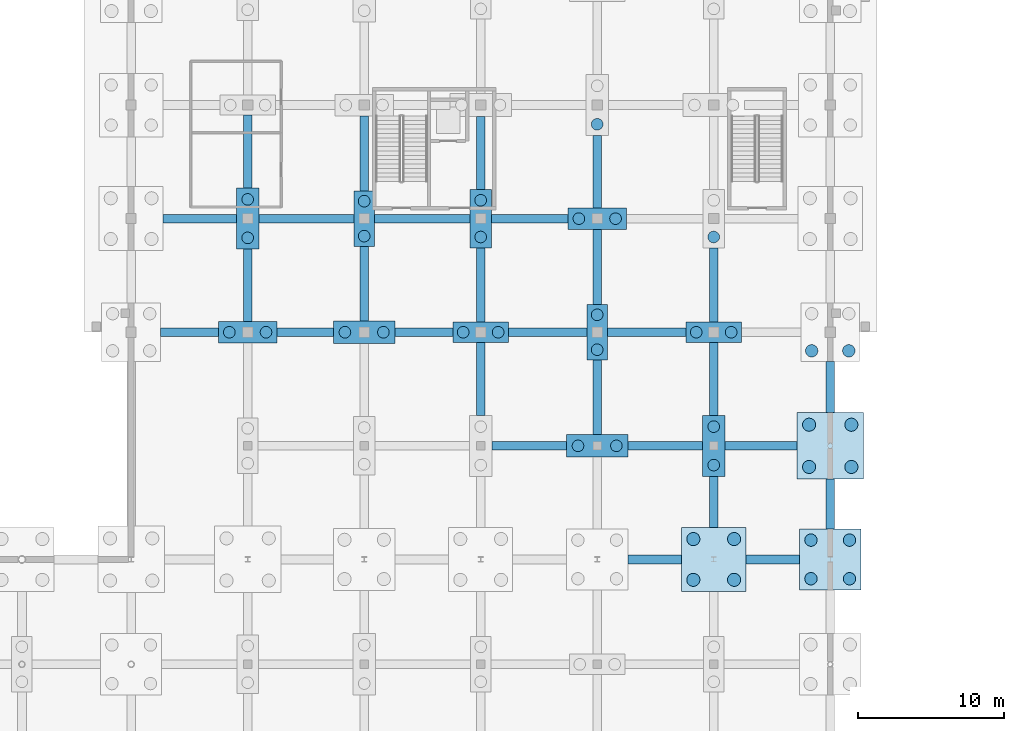
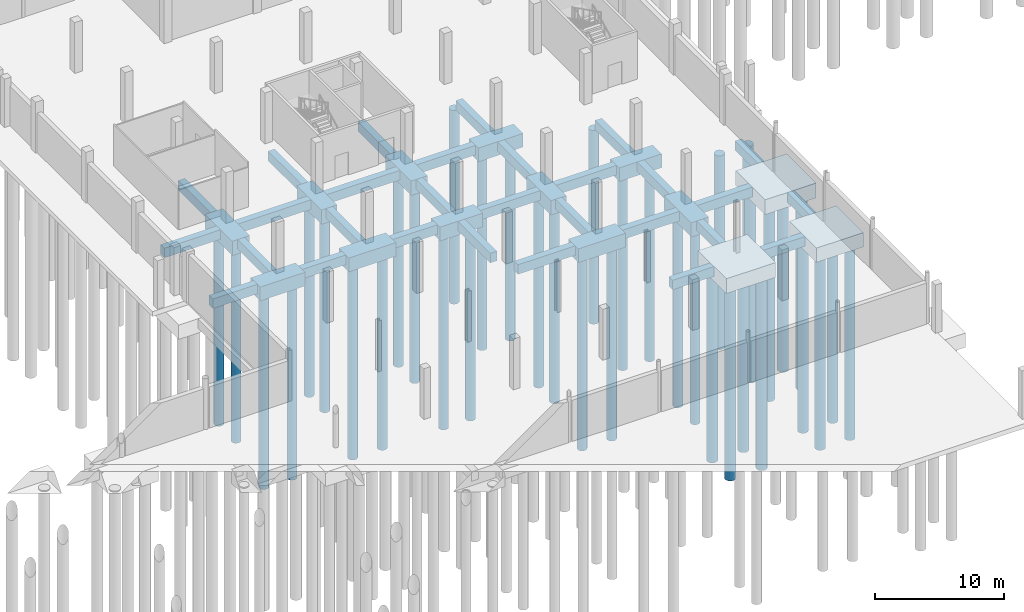
# One storey, part 5 of 44: 43 footings, 38 piles.
"""IFC4 building model written with IfcOpenShell, lengths in metres."""

from ifc_helpers import new_model, si_unit, direction, frame, origin, origin_2d, place, context, subcontext, project, spatial, polyline, rectangle, circle, outline, extrude, material, material_profile, profile_set, type_object, element, save


model = new_model("IFC4")

# Units and contexts
model_context = context("Model", 3, precision=1e-05, world=origin(), true_north=direction((0.0, 1.0)))
body_context = subcontext(model_context, "Body", "Model", "MODEL_VIEW")
ifc_project = project(units=[si_unit("LENGTHUNIT", "METRE"), si_unit("AREAUNIT", "SQUARE_METRE"), si_unit("VOLUMEUNIT", "CUBIC_METRE"), si_unit("PLANEANGLEUNIT", "RADIAN"), si_unit("MASSUNIT", "GRAM", prefix="KILO")], contexts=[model_context])

# Site, building, storey
site_placement = place(None, origin())
site = spatial("IfcSite", under=ifc_project, at=site_placement, CompositionType="ELEMENT")
building_placement = place(site_placement, origin())
building = spatial("IfcBuilding", under=site, at=building_placement, Name="Yukiwa Park Conservatory and Herbarium", CompositionType="ELEMENT")
storey_placement = place(building_placement, frame((0.0, 0.0, -4.800048828125)))
storey = spatial("IfcBuildingStorey", under=building, at=storey_placement, Name="B1", CompositionType="ELEMENT", Elevation=-4.800048828125)

# Footings
ifc_material_1 = material(Name="Concrete C35", Category="concrete")
footing_type_1 = type_object("IfcFootingType", Name="FT-BEAM-600X900", PredefinedType="FOOTING_BEAM", material=ifc_material_1)
footing_1_placement = place(storey_placement, frame((0.0, 0.0, -1.349853515625)))
element("IfcFooting", 1, at=footing_1_placement, inside=storey, type_object=footing_type_1, Name="Foundation tie beam X-57", PredefinedType="FOOTING_BEAM", context=body_context, shape_type="SweptSolid", body=[
    extrude(outline(polyline([(94.10009765625, 30.89990234375), (97.800048828125, 30.89990234375), (97.800048828125, 31.5), (94.10009765625, 31.5), (94.10009765625, 30.89990234375)])), origin(), (0.0, 0.0, 1.0), 0.89990234375),
])
footing_2_placement = place(storey_placement, frame((0.0, 0.0, -1.349853515625)))
element("IfcFooting", 2, at=footing_2_placement, inside=storey, type_object=footing_type_1, Name="Foundation tie beam X-58", PredefinedType="FOOTING_BEAM", context=body_context, shape_type="SweptSolid", body=[
    extrude(outline(polyline([(102.199951171875, 30.89990234375), (105.89990234375, 30.89990234375), (105.89990234375, 31.5), (102.199951171875, 31.5), (102.199951171875, 30.89990234375)])), origin(), (0.0, 0.0, 1.0), 0.89990234375),
])
footing_3_placement = place(storey_placement, frame((0.0, 0.0, -1.349853515625)))
element("IfcFooting", 3, at=footing_3_placement, inside=storey, type_object=footing_type_1, Name="Foundation tie beam X-61", PredefinedType="FOOTING_BEAM", context=body_context, shape_type="SweptSolid", body=[
    extrude(outline(polyline([(84.780029296875, 38.699951171875), (89.89990234375, 38.699951171875), (89.89990234375, 39.300048828125), (84.780029296875, 39.300048828125), (84.780029296875, 38.699951171875)])), origin(), (0.0, 0.0, 1.0), 0.89990234375),
])
footing_4_placement = place(storey_placement, frame((0.0, 0.0, -1.349853515625)))
element("IfcFooting", 4, at=footing_4_placement, inside=storey, type_object=footing_type_1, Name="Foundation tie beam X-62", PredefinedType="FOOTING_BEAM", context=body_context, shape_type="SweptSolid", body=[
    extrude(outline(polyline([(94.10009765625, 38.699951171875), (99.219970703125, 38.699951171875), (99.219970703125, 39.300048828125), (94.10009765625, 39.300048828125), (94.10009765625, 38.699951171875)])), origin(), (0.0, 0.0, 1.0), 0.89990234375),
])
footing_5_placement = place(storey_placement, frame((0.0, 0.0, -1.349853515625)))
element("IfcFooting", 5, at=footing_5_placement, inside=storey, type_object=footing_type_1, Name="Foundation tie beam X-63", PredefinedType="FOOTING_BEAM", context=body_context, shape_type="SweptSolid", body=[
    extrude(outline(polyline([(100.780029296875, 38.699951171875), (105.719970703125, 38.699951171875), (105.719970703125, 39.300048828125), (100.780029296875, 39.300048828125), (100.780029296875, 38.699951171875)])), origin(), (0.0, 0.0, 1.0), 0.89990234375),
])
footing_6_placement = place(storey_placement, frame((0.0, 0.0, -1.349853515625)))
element("IfcFooting", 6, at=footing_6_placement, inside=storey, type_object=footing_type_1, Name="Foundation tie beam X-64", PredefinedType="FOOTING_BEAM", context=body_context, shape_type="SweptSolid", body=[
    extrude(outline(polyline([(62.02001953125, 46.5), (66.0, 46.5), (66.0, 47.10009765625), (62.02001953125, 47.10009765625), (62.02001953125, 46.5)])), origin(), (0.0, 0.0, 1.0), 0.89990234375),
])
footing_7_placement = place(storey_placement, frame((0.0, 0.0, -1.349853515625)))
element("IfcFooting", 7, at=footing_7_placement, inside=storey, type_object=footing_type_1, Name="Foundation tie beam X-65", PredefinedType="FOOTING_BEAM", context=body_context, shape_type="SweptSolid", body=[
    extrude(outline(polyline([(70.0, 46.5), (73.89990234375, 46.5), (73.89990234375, 47.10009765625), (70.0, 47.10009765625), (70.0, 46.5)])), origin(), (0.0, 0.0, 1.0), 0.89990234375),
])
footing_8_placement = place(storey_placement, frame((0.0, 0.0, -1.349853515625)))
element("IfcFooting", 8, at=footing_8_placement, inside=storey, type_object=footing_type_1, Name="Foundation tie beam X-66", PredefinedType="FOOTING_BEAM", context=body_context, shape_type="SweptSolid", body=[
    extrude(outline(polyline([(78.10009765625, 46.5), (82.10009765625, 46.5), (82.10009765625, 47.10009765625), (78.10009765625, 47.10009765625), (78.10009765625, 46.5)])), origin(), (0.0, 0.0, 1.0), 0.89990234375),
])
footing_9_placement = place(storey_placement, frame((0.0, 0.0, -1.349853515625)))
element("IfcFooting", 9, at=footing_9_placement, inside=storey, type_object=footing_type_1, Name="Foundation tie beam X-67", PredefinedType="FOOTING_BEAM", context=body_context, shape_type="SweptSolid", body=[
    extrude(outline(polyline([(85.89990234375, 46.5), (91.300048828125, 46.5), (91.300048828125, 47.10009765625), (85.89990234375, 47.10009765625), (85.89990234375, 46.5)])), origin(), (0.0, 0.0, 1.0), 0.89990234375),
])
footing_10_placement = place(storey_placement, frame((0.0, 0.0, -1.349853515625)))
element("IfcFooting", 10, at=footing_10_placement, inside=storey, type_object=footing_type_1, Name="Foundation tie beam X-68", PredefinedType="FOOTING_BEAM", context=body_context, shape_type="SweptSolid", body=[
    extrude(outline(polyline([(92.699951171875, 46.5), (98.10009765625, 46.5), (98.10009765625, 47.10009765625), (92.699951171875, 47.10009765625), (92.699951171875, 46.5)])), origin(), (0.0, 0.0, 1.0), 0.89990234375),
])
footing_11_placement = place(storey_placement, frame((0.0, 0.0, -1.349853515625)))
element("IfcFooting", 11, at=footing_11_placement, inside=storey, type_object=footing_type_1, Name="Foundation tie beam X-70", PredefinedType="FOOTING_BEAM", context=body_context, shape_type="SweptSolid", body=[
    extrude(outline(polyline([(62.199951171875, 54.300048828125), (67.219970703125, 54.300048828125), (67.219970703125, 54.89990234375), (62.199951171875, 54.89990234375), (62.199951171875, 54.300048828125)])), origin(), (0.0, 0.0, 1.0), 0.89990234375),
])
footing_12_placement = place(storey_placement, frame((0.0, 0.0, -1.349853515625)))
element("IfcFooting", 12, at=footing_12_placement, inside=storey, type_object=footing_type_1, Name="Foundation tie beam X-71", PredefinedType="FOOTING_BEAM", context=body_context, shape_type="SweptSolid", body=[
    extrude(outline(polyline([(68.780029296875, 54.300048828125), (75.300048828125, 54.300048828125), (75.300048828125, 54.89990234375), (68.780029296875, 54.89990234375), (68.780029296875, 54.300048828125)])), origin(), (0.0, 0.0, 1.0), 0.89990234375),
])
footing_13_placement = place(storey_placement, frame((0.0, 0.0, -1.349853515625)))
element("IfcFooting", 13, at=footing_13_placement, inside=storey, type_object=footing_type_1, Name="Foundation tie beam X-72", PredefinedType="FOOTING_BEAM", context=body_context, shape_type="SweptSolid", body=[
    extrude(outline(polyline([(76.699951171875, 54.300048828125), (83.260009765625, 54.300048828125), (83.260009765625, 54.89990234375), (76.699951171875, 54.89990234375), (76.699951171875, 54.300048828125)])), origin(), (0.0, 0.0, 1.0), 0.89990234375),
])
footing_14_placement = place(storey_placement, frame((0.0, 0.0, -1.349853515625)))
element("IfcFooting", 14, at=footing_14_placement, inside=storey, type_object=footing_type_1, Name="Foundation tie beam X-73", PredefinedType="FOOTING_BEAM", context=body_context, shape_type="SweptSolid", body=[
    extrude(outline(polyline([(84.739990234375, 54.300048828125), (90.0, 54.300048828125), (90.0, 54.89990234375), (84.739990234375, 54.89990234375), (84.739990234375, 54.300048828125)])), origin(), (0.0, 0.0, 1.0), 0.89990234375),
])
footing_15_placement = place(storey_placement, frame((0.0, 0.0, -1.349853515625)))
element("IfcFooting", 15, at=footing_15_placement, inside=storey, type_object=footing_type_1, Name="Foundation tie beam Y-233", PredefinedType="FOOTING_BEAM", context=body_context, shape_type="SweptSolid", body=[
    extrude(outline(polyline([(67.699951171875, 47.5400390625), (68.300048828125, 47.5400390625), (68.300048828125, 52.5), (67.699951171875, 52.5), (67.699951171875, 47.5400390625)])), origin(), (0.0, 0.0, 1.0), 0.89990234375),
])
footing_16_placement = place(storey_placement, frame((0.0, 0.0, -1.349853515625)))
element("IfcFooting", 16, at=footing_16_placement, inside=storey, type_object=footing_type_1, Name="Foundation tie beam Y-234", PredefinedType="FOOTING_BEAM", context=body_context, shape_type="SweptSolid", body=[
    extrude(outline(polyline([(67.699951171875, 56.699951171875), (68.300048828125, 56.699951171875), (68.300048828125, 61.699951171875), (67.699951171875, 61.699951171875), (67.699951171875, 56.699951171875)])), origin(), (0.0, 0.0, 1.0), 0.89990234375),
])
footing_17_placement = place(storey_placement, frame((0.0, 0.0, -1.349853515625)))
element("IfcFooting", 17, at=footing_17_placement, inside=storey, type_object=footing_type_1, Name="Foundation tie beam Y-242", PredefinedType="FOOTING_BEAM", context=body_context, shape_type="SweptSolid", body=[
    extrude(outline(polyline([(75.699951171875, 47.580078125), (76.300048828125, 47.580078125), (76.300048828125, 52.699951171875), (75.699951171875, 52.699951171875), (75.699951171875, 47.580078125)])), origin(), (0.0, 0.0, 1.0), 0.89990234375),
])
footing_18_placement = place(storey_placement, frame((0.0, 0.0, -1.349853515625)))
element("IfcFooting", 18, at=footing_18_placement, inside=storey, type_object=footing_type_1, Name="Foundation tie beam Y-243", PredefinedType="FOOTING_BEAM", context=body_context, shape_type="SweptSolid", body=[
    extrude(outline(polyline([(75.699951171875, 56.5), (76.300048828125, 56.5), (76.300048828125, 61.659912109375), (75.699951171875, 61.659912109375), (75.699951171875, 56.5)])), origin(), (0.0, 0.0, 1.0), 0.89990234375),
])
footing_19_placement = place(storey_placement, frame((0.0, 0.0, -1.349853515625)))
element("IfcFooting", 19, at=footing_19_placement, inside=storey, type_object=footing_type_1, Name="Foundation tie beam Y-250", PredefinedType="FOOTING_BEAM", context=body_context, shape_type="SweptSolid", body=[
    extrude(outline(polyline([(83.699951171875, 41.10009765625), (84.300048828125, 41.10009765625), (84.300048828125, 46.10009765625), (83.699951171875, 46.10009765625), (83.699951171875, 41.10009765625)])), origin(), (0.0, 0.0, 1.0), 0.89990234375),
])
footing_20_placement = place(storey_placement, frame((0.0, 0.0, -1.349853515625)))
element("IfcFooting", 20, at=footing_20_placement, inside=storey, type_object=footing_type_1, Name="Foundation tie beam Y-251", PredefinedType="FOOTING_BEAM", context=body_context, shape_type="SweptSolid", body=[
    extrude(outline(polyline([(83.699951171875, 47.5), (84.300048828125, 47.5), (84.300048828125, 52.60009765625), (83.699951171875, 52.60009765625), (83.699951171875, 47.5)])), origin(), (0.0, 0.0, 1.0), 0.89990234375),
])
footing_21_placement = place(storey_placement, frame((0.0, 0.0, -1.349853515625)))
element("IfcFooting", 21, at=footing_21_placement, inside=storey, type_object=footing_type_1, Name="Foundation tie beam Y-252", PredefinedType="FOOTING_BEAM", context=body_context, shape_type="SweptSolid", body=[
    extrude(outline(polyline([(83.699951171875, 56.60009765625), (84.300048828125, 56.60009765625), (84.300048828125, 61.6201171875), (83.699951171875, 61.6201171875), (83.699951171875, 56.60009765625)])), origin(), (0.0, 0.0, 1.0), 0.89990234375),
])
footing_22_placement = place(storey_placement, frame((0.0, 0.0, -1.349853515625)))
element("IfcFooting", 22, at=footing_22_placement, inside=storey, type_object=footing_type_1, Name="Foundation tie beam Y-258", PredefinedType="FOOTING_BEAM", context=body_context, shape_type="SweptSolid", body=[
    extrude(outline(polyline([(91.699951171875, 39.780029296875), (92.300048828125, 39.780029296875), (92.300048828125, 44.89990234375), (91.699951171875, 44.89990234375), (91.699951171875, 39.780029296875)])), origin(), (0.0, 0.0, 1.0), 0.89990234375),
])
footing_23_placement = place(storey_placement, frame((0.0, 0.0, -1.349853515625)))
element("IfcFooting", 23, at=footing_23_placement, inside=storey, type_object=footing_type_1, Name="Foundation tie beam Y-259", PredefinedType="FOOTING_BEAM", context=body_context, shape_type="SweptSolid", body=[
    extrude(outline(polyline([(91.699951171875, 48.699951171875), (92.300048828125, 48.699951171875), (92.300048828125, 53.860107421875), (91.699951171875, 53.860107421875), (91.699951171875, 48.699951171875)])), origin(), (0.0, 0.0, 1.0), 0.89990234375),
])
footing_24_placement = place(storey_placement, frame((0.0, 0.0, -1.349853515625)))
element("IfcFooting", 24, at=footing_24_placement, inside=storey, type_object=footing_type_1, Name="Foundation tie beam Y-260", PredefinedType="FOOTING_BEAM", context=body_context, shape_type="SweptSolid", body=[
    extrude(outline(polyline([(91.699951171875, 55.340087890625), (92.300048828125, 55.340087890625), (92.300048828125, 60.300048828125), (91.699951171875, 60.300048828125), (91.699951171875, 55.340087890625)])), origin(), (0.0, 0.0, 1.0), 0.89990234375),
])
footing_25_placement = place(storey_placement, frame((0.0, 0.0, -1.349853515625)))
element("IfcFooting", 25, at=footing_25_placement, inside=storey, type_object=footing_type_1, Name="Foundation tie beam Y-265", PredefinedType="FOOTING_BEAM", context=body_context, shape_type="SweptSolid", body=[
    extrude(outline(polyline([(99.699951171875, 33.39990234375), (100.300048828125, 33.39990234375), (100.300048828125, 36.89990234375), (99.699951171875, 36.89990234375), (99.699951171875, 33.39990234375)])), origin(), (0.0, 0.0, 1.0), 0.89990234375),
])
footing_26_placement = place(storey_placement, frame((0.0, 0.0, -1.349853515625)))
element("IfcFooting", 26, at=footing_26_placement, inside=storey, type_object=footing_type_1, Name="Foundation tie beam Y-266", PredefinedType="FOOTING_BEAM", context=body_context, shape_type="SweptSolid", body=[
    extrude(outline(polyline([(99.699951171875, 41.10009765625), (100.300048828125, 41.10009765625), (100.300048828125, 46.10009765625), (99.699951171875, 46.10009765625), (99.699951171875, 41.10009765625)])), origin(), (0.0, 0.0, 1.0), 0.89990234375),
])
footing_27_placement = place(storey_placement, frame((0.0, 0.0, -1.349853515625)))
element("IfcFooting", 27, at=footing_27_placement, inside=storey, type_object=footing_type_1, Name="Foundation tie beam Y-267", PredefinedType="FOOTING_BEAM", context=body_context, shape_type="SweptSolid", body=[
    extrude(outline(polyline([(99.699951171875, 47.5), (100.300048828125, 47.5), (100.300048828125, 52.60009765625), (99.699951171875, 52.60009765625), (99.699951171875, 47.5)])), origin(), (0.0, 0.0, 1.0), 0.89990234375),
])
footing_28_placement = place(storey_placement, frame((0.0, 0.0, -1.349853515625)))
element("IfcFooting", 28, at=footing_28_placement, inside=storey, type_object=footing_type_1, Name="Foundation tie beam Y-273", PredefinedType="FOOTING_BEAM", context=body_context, shape_type="SweptSolid", body=[
    extrude(outline(polyline([(107.699951171875, 33.300048828125), (108.300048828125, 33.300048828125), (108.300048828125, 36.719970703125), (107.699951171875, 36.719970703125), (107.699951171875, 33.300048828125)])), origin(), (0.0, 0.0, 1.0), 0.89990234375),
])
footing_29_placement = place(storey_placement, frame((0.0, 0.0, -1.349853515625)))
element("IfcFooting", 29, at=footing_29_placement, inside=storey, type_object=footing_type_1, Name="Foundation tie beam Y-274", PredefinedType="FOOTING_BEAM", context=body_context, shape_type="SweptSolid", body=[
    extrude(outline(polyline([(107.699951171875, 41.280029296875), (108.300048828125, 41.280029296875), (108.300048828125, 44.780029296875), (107.699951171875, 44.780029296875), (107.699951171875, 41.280029296875)])), origin(), (0.0, 0.0, 1.0), 0.89990234375),
])
ifc_material_2 = material(Name="Concrete C35", Category="concrete")
footing_type_2 = type_object("IfcFootingType", Name="FT-PC-1400X3800X1350", PredefinedType="PILE_CAP", material=ifc_material_2)
for number, where, z_axis, x_axis, name in (
    (30, (76.0, 54.60009765625, -1.800048828125), (0.0, 0.0, 1.0), (1.0, 0.0, 0.0), "Reinforced concrete pile cap 100"),
    (31, (92.0, 46.800048828125, -1.800048828125), (0.0, 0.0, 1.0), (1.0, 0.0, 0.0), "Reinforced concrete pile cap 118"),
):
    element("IfcFooting", number, at=place(storey_placement, frame(where, z_axis=z_axis, x_axis=x_axis)), inside=storey, type_object=footing_type_2, Name=name, PredefinedType="PILE_CAP", context=body_context, shape_type="SweptSolid", body=[
        extrude(rectangle(XDim=1.39990234375, YDim=3.800048828125, at=origin_2d()), origin(), (0.0, 0.0, 1.0), 1.35009765625),
    ])
ifc_material_3 = material(Name="Concrete C35", Category="concrete")
footing_type_3 = type_object("IfcFootingType", Name="FT-PC-1480X4000X1350", PredefinedType="PILE_CAP", material=ifc_material_3)
footing_30_placement = place(storey_placement, frame((84.0, 54.60009765625, -1.800048828125), z_axis=(0.0, 0.0, 1.0), x_axis=(1.0, 0.0, 0.0)))
element("IfcFooting", 32, at=footing_30_placement, inside=storey, type_object=footing_type_3, Name="Reinforced concrete pile cap 110", PredefinedType="PILE_CAP", context=body_context, shape_type="SweptSolid", body=[
    extrude(rectangle(XDim=1.47998046875, YDim=4.0, at=origin_2d()), origin(), (0.0, 0.0, 1.0), 1.35009765625),
])
ifc_material_4 = material(Name="Concrete C35", Category="concrete")
footing_type_4 = type_object("IfcFootingType", Name="FT-PC-1560X4200X1350", PredefinedType="PILE_CAP", material=ifc_material_4)
for number, where, z_axis, x_axis, name in (
    (33, (68.0, 54.60009765625, -1.800048828125), (0.0, 0.0, 1.0), (1.0, 0.0, 0.0), "Reinforced concrete pile cap 90"),
    (34, (100.0, 39.0, -1.800048828125), (0.0, 0.0, 1.0), (1.0, 0.0, 0.0), "Reinforced concrete pile cap 126"),
):
    element("IfcFooting", number, at=place(storey_placement, frame(where, z_axis=z_axis, x_axis=x_axis)), inside=storey, type_object=footing_type_4, Name=name, PredefinedType="PILE_CAP", context=body_context, shape_type="SweptSolid", body=[
        extrude(rectangle(XDim=1.56005859375, YDim=4.199951171875, at=origin_2d()), origin(), (0.0, 0.0, 1.0), 1.35009765625),
    ])
ifc_material_5 = material(Name="Concrete C35", Category="concrete")
footing_type_5 = type_object("IfcFootingType", Name="FT-PC-3800X1400X1300", PredefinedType="PILE_CAP", material=ifc_material_5)
for number, where, z_axis, x_axis, name in (
    (35, (84.0, 46.800048828125, -1.75), (0.0, 0.0, 1.0), (1.0, 0.0, 0.0), "Reinforced concrete pile cap 109"),
    (36, (100.0, 46.800048828125, -1.75), (0.0, 0.0, 1.0), (1.0, 0.0, 0.0), "Reinforced concrete pile cap 127"),
):
    element("IfcFooting", number, at=place(storey_placement, frame(where, z_axis=z_axis, x_axis=x_axis)), inside=storey, type_object=footing_type_5, Name=name, PredefinedType="PILE_CAP", context=body_context, shape_type="SweptSolid", body=[
        extrude(rectangle(XDim=3.800048828125, YDim=1.39990234375, at=origin_2d()), origin(), (0.0, 0.0, 1.0), 1.300048828125),
    ])
ifc_material_6 = material(Name="Concrete C35", Category="concrete")
footing_type_6 = type_object("IfcFootingType", Name="FT-PC-4000X1480X1300", PredefinedType="PILE_CAP", material=ifc_material_6)
for number, where, z_axis, x_axis, name in (
    (37, (68.0, 46.800048828125, -1.75), (0.0, 0.0, 1.0), (1.0, 0.0, 0.0), "Reinforced concrete pile cap 89"),
    (38, (92.0, 54.60009765625, -1.75), (0.0, 0.0, 1.0), (1.0, 0.0, 0.0), "Reinforced concrete pile cap 119"),
):
    element("IfcFooting", number, at=place(storey_placement, frame(where, z_axis=z_axis, x_axis=x_axis)), inside=storey, type_object=footing_type_6, Name=name, PredefinedType="PILE_CAP", context=body_context, shape_type="SweptSolid", body=[
        extrude(rectangle(XDim=4.0, YDim=1.47998046875, at=origin_2d()), origin(), (0.0, 0.0, 1.0), 1.300048828125),
    ])
ifc_material_7 = material(Name="Concrete C35", Category="concrete")
footing_type_7 = type_object("IfcFootingType", Name="FT-PC-4200X1560X1300", PredefinedType="PILE_CAP", material=ifc_material_7)
for number, where, z_axis, x_axis, name in (
    (39, (76.0, 46.800048828125, -1.75), (0.0, 0.0, 1.0), (1.0, 0.0, 0.0), "Reinforced concrete pile cap 99"),
    (40, (92.0, 39.0, -1.75), (0.0, 0.0, 1.0), (1.0, 0.0, 0.0), "Reinforced concrete pile cap 117"),
):
    element("IfcFooting", number, at=place(storey_placement, frame(where, z_axis=z_axis, x_axis=x_axis)), inside=storey, type_object=footing_type_7, Name=name, PredefinedType="PILE_CAP", context=body_context, shape_type="SweptSolid", body=[
        extrude(rectangle(XDim=4.199951171875, YDim=1.56005859375, at=origin_2d()), origin(), (0.0, 0.0, 1.0), 1.300048828125),
    ])
ifc_material_8 = material(Name="Concrete C35", Category="concrete")
footing_type_8 = type_object("IfcFootingType", Name="FT-PC-4200X4200X1350", PredefinedType="PILE_CAP", material=ifc_material_8)
footing_31_placement = place(storey_placement, frame((108.0, 31.199951171875, -1.800048828125), z_axis=(0.0, 0.0, 1.0), x_axis=(1.0, 0.0, 0.0)))
element("IfcFooting", 41, at=footing_31_placement, inside=storey, type_object=footing_type_8, Name="Reinforced concrete pile cap 134", PredefinedType="PILE_CAP", context=body_context, shape_type="SweptSolid", body=[
    extrude(rectangle(XDim=4.199951171875, YDim=4.199951171875, at=origin_2d()), origin(), (0.0, 0.0, 1.0), 1.35009765625),
])
ifc_material_9 = material(Name="Concrete C35", Category="concrete")
footing_type_9 = type_object("IfcFootingType", Name="FT-PC-4400X4400X1400", PredefinedType="PILE_CAP", material=ifc_material_9)
footing_32_placement = place(storey_placement, frame((100.0, 31.199951171875, -1.849853515625), z_axis=(0.0, 0.0, 1.0), x_axis=(1.0, 0.0, 0.0)))
element("IfcFooting", 42, at=footing_32_placement, inside=storey, type_object=footing_type_9, Name="Reinforced concrete pile cap 125", PredefinedType="PILE_CAP", context=body_context, shape_type="SweptSolid", body=[
    extrude(rectangle(XDim=4.39990234375, YDim=4.39990234375, at=origin_2d()), origin(), (0.0, 0.0, 1.0), 1.39990234375),
])
ifc_material_10 = material(Name="Concrete C35", Category="concrete")
footing_type_10 = type_object("IfcFootingType", Name="FT-PC-4560X4560X1400", PredefinedType="PILE_CAP", material=ifc_material_10)
footing_33_placement = place(storey_placement, frame((108.0, 39.0, -1.849853515625), z_axis=(0.0, 0.0, 1.0), x_axis=(1.0, 0.0, 0.0)))
element("IfcFooting", 43, at=footing_33_placement, inside=storey, type_object=footing_type_10, Name="Reinforced concrete pile cap 135", PredefinedType="PILE_CAP", context=body_context, shape_type="SweptSolid", body=[
    extrude(rectangle(XDim=4.56005859375, YDim=4.56005859375, at=origin_2d()), origin(), (0.0, 0.0, 1.0), 1.39990234375),
])

# Piles
ifc_material_11 = material(Name="Concrete C35", Category="concrete")
ifc_material_profile_1 = material_profile(ifc_material_11, circle(Radius=0.39990234375, at=origin_2d()), Name="PILE D800")
ifc_profile_set_1 = profile_set([ifc_material_profile_1], Name="Concrete C35")
pile_type_1 = type_object("IfcPileType", Name="PL-BORED-D800", PredefinedType="BORED", material=ifc_profile_set_1)
for number, where, z_axis, x_axis, name in (
    (44, (66.739990234375, 46.800048828125, -1.64990234375), (0.0, 0.0, -1.0), (1.0, 0.0, 0.0), "Bored cast-in-place pile 89.1"),
    (45, (69.260009765625, 46.800048828125, -1.64990234375), (0.0, 0.0, -1.0), (1.0, 0.0, 0.0), "Bored cast-in-place pile 89.2"),
):
    element("IfcPile", number, at=place(storey_placement, frame(where, z_axis=z_axis, x_axis=x_axis)), inside=storey, type_object=pile_type_1, Name=name, PredefinedType="BORED", context=body_context, shape_type="SweptSolid", body=[
        extrude(circle(Radius=0.39990234375, at=origin_2d()), origin(), (0.0, 0.0, 1.0), 18.35009765625),
    ])
for number, where, z_axis, x_axis, name in (
    (46, (68.0, 53.280029296875, -1.699951171875), (0.0, 0.0, -1.0), (1.0, 0.0, 0.0), "Bored cast-in-place pile 90.1"),
    (47, (68.0, 55.919921875, -1.699951171875), (0.0, 0.0, -1.0), (1.0, 0.0, 0.0), "Bored cast-in-place pile 90.2"),
):
    element("IfcPile", number, at=place(storey_placement, frame(where, z_axis=z_axis, x_axis=x_axis)), inside=storey, type_object=pile_type_1, Name=name, PredefinedType="BORED", context=body_context, shape_type="SweptSolid", body=[
        extrude(circle(Radius=0.39990234375, at=origin_2d()), origin(), (0.0, 0.0, 1.0), 18.300048828125),
    ])
for number, where, z_axis, x_axis, name in (
    (48, (74.679931640625, 46.800048828125, -1.64990234375), (0.0, 0.0, -1.0), (1.0, 0.0, 0.0), "Bored cast-in-place pile 99.1"),
    (49, (77.320068359375, 46.800048828125, -1.64990234375), (0.0, 0.0, -1.0), (1.0, 0.0, 0.0), "Bored cast-in-place pile 99.2"),
):
    element("IfcPile", number, at=place(storey_placement, frame(where, z_axis=z_axis, x_axis=x_axis)), inside=storey, type_object=pile_type_1, Name=name, PredefinedType="BORED", context=body_context, shape_type="SweptSolid", body=[
        extrude(circle(Radius=0.39990234375, at=origin_2d()), origin(), (0.0, 0.0, 1.0), 18.35009765625),
    ])
for number, where, z_axis, x_axis, name in (
    (50, (76.0, 53.39990234375, -1.699951171875), (0.0, 0.0, -1.0), (1.0, 0.0, 0.0), "Bored cast-in-place pile 100.1"),
    (51, (76.0, 55.800048828125, -1.699951171875), (0.0, 0.0, -1.0), (1.0, 0.0, 0.0), "Bored cast-in-place pile 100.2"),
):
    element("IfcPile", number, at=place(storey_placement, frame(where, z_axis=z_axis, x_axis=x_axis)), inside=storey, type_object=pile_type_1, Name=name, PredefinedType="BORED", context=body_context, shape_type="SweptSolid", body=[
        extrude(circle(Radius=0.39990234375, at=origin_2d()), origin(), (0.0, 0.0, 1.0), 18.300048828125),
    ])
for number, where, z_axis, x_axis, name in (
    (52, (82.800048828125, 46.800048828125, -1.64990234375), (0.0, 0.0, -1.0), (1.0, 0.0, 0.0), "Bored cast-in-place pile 109.1"),
    (53, (85.199951171875, 46.800048828125, -1.64990234375), (0.0, 0.0, -1.0), (1.0, 0.0, 0.0), "Bored cast-in-place pile 109.2"),
):
    element("IfcPile", number, at=place(storey_placement, frame(where, z_axis=z_axis, x_axis=x_axis)), inside=storey, type_object=pile_type_1, Name=name, PredefinedType="BORED", context=body_context, shape_type="SweptSolid", body=[
        extrude(circle(Radius=0.39990234375, at=origin_2d()), origin(), (0.0, 0.0, 1.0), 18.35009765625),
    ])
for number, where, z_axis, x_axis, name in (
    (54, (84.0, 53.340087890625, -1.699951171875), (0.0, 0.0, -1.0), (1.0, 0.0, 0.0), "Bored cast-in-place pile 110.1"),
    (55, (84.0, 55.860107421875, -1.699951171875), (0.0, 0.0, -1.0), (1.0, 0.0, 0.0), "Bored cast-in-place pile 110.2"),
):
    element("IfcPile", number, at=place(storey_placement, frame(where, z_axis=z_axis, x_axis=x_axis)), inside=storey, type_object=pile_type_1, Name=name, PredefinedType="BORED", context=body_context, shape_type="SweptSolid", body=[
        extrude(circle(Radius=0.39990234375, at=origin_2d()), origin(), (0.0, 0.0, 1.0), 18.300048828125),
    ])
for number, where, z_axis, x_axis, name in (
    (56, (90.679931640625, 39.0, -1.64990234375), (0.0, 0.0, -1.0), (1.0, 0.0, 0.0), "Bored cast-in-place pile 117.1"),
    (57, (93.320068359375, 39.0, -1.64990234375), (0.0, 0.0, -1.0), (1.0, 0.0, 0.0), "Bored cast-in-place pile 117.2"),
):
    element("IfcPile", number, at=place(storey_placement, frame(where, z_axis=z_axis, x_axis=x_axis)), inside=storey, type_object=pile_type_1, Name=name, PredefinedType="BORED", context=body_context, shape_type="SweptSolid", body=[
        extrude(circle(Radius=0.39990234375, at=origin_2d()), origin(), (0.0, 0.0, 1.0), 18.35009765625),
    ])
for number, where, z_axis, x_axis, name in (
    (58, (92.0, 45.60009765625, -1.699951171875), (0.0, 0.0, -1.0), (1.0, 0.0, 0.0), "Bored cast-in-place pile 118.1"),
    (59, (92.0, 48.0, -1.699951171875), (0.0, 0.0, -1.0), (1.0, 0.0, 0.0), "Bored cast-in-place pile 118.2"),
):
    element("IfcPile", number, at=place(storey_placement, frame(where, z_axis=z_axis, x_axis=x_axis)), inside=storey, type_object=pile_type_1, Name=name, PredefinedType="BORED", context=body_context, shape_type="SweptSolid", body=[
        extrude(circle(Radius=0.39990234375, at=origin_2d()), origin(), (0.0, 0.0, 1.0), 18.300048828125),
    ])
for number, where, z_axis, x_axis, name in (
    (60, (90.739990234375, 54.60009765625, -1.64990234375), (0.0, 0.0, -1.0), (1.0, 0.0, 0.0), "Bored cast-in-place pile 119.1"),
    (61, (93.260009765625, 54.60009765625, -1.64990234375), (0.0, 0.0, -1.0), (1.0, 0.0, 0.0), "Bored cast-in-place pile 119.2"),
):
    element("IfcPile", number, at=place(storey_placement, frame(where, z_axis=z_axis, x_axis=x_axis)), inside=storey, type_object=pile_type_1, Name=name, PredefinedType="BORED", context=body_context, shape_type="SweptSolid", body=[
        extrude(circle(Radius=0.39990234375, at=origin_2d()), origin(), (0.0, 0.0, 1.0), 18.35009765625),
    ])
for number, where, z_axis, x_axis, name in (
    (62, (92.0, 61.080078125, -1.699951171875), (0.0, 0.0, -1.0), (1.0, 0.0, 0.0), "Bored cast-in-place pile 120.1"),
    (63, (100.0, 37.679931640625, -1.699951171875), (0.0, 0.0, -1.0), (1.0, 0.0, 0.0), "Bored cast-in-place pile 126.1"),
    (64, (100.0, 40.320068359375, -1.699951171875), (0.0, 0.0, -1.0), (1.0, 0.0, 0.0), "Bored cast-in-place pile 126.2"),
):
    element("IfcPile", number, at=place(storey_placement, frame(where, z_axis=z_axis, x_axis=x_axis)), inside=storey, type_object=pile_type_1, Name=name, PredefinedType="BORED", context=body_context, shape_type="SweptSolid", body=[
        extrude(circle(Radius=0.39990234375, at=origin_2d()), origin(), (0.0, 0.0, 1.0), 18.300048828125),
    ])
for number, where, z_axis, x_axis, name in (
    (65, (98.800048828125, 46.800048828125, -1.64990234375), (0.0, 0.0, -1.0), (1.0, 0.0, 0.0), "Bored cast-in-place pile 127.1"),
    (66, (101.199951171875, 46.800048828125, -1.64990234375), (0.0, 0.0, -1.0), (1.0, 0.0, 0.0), "Bored cast-in-place pile 127.2"),
):
    element("IfcPile", number, at=place(storey_placement, frame(where, z_axis=z_axis, x_axis=x_axis)), inside=storey, type_object=pile_type_1, Name=name, PredefinedType="BORED", context=body_context, shape_type="SweptSolid", body=[
        extrude(circle(Radius=0.39990234375, at=origin_2d()), origin(), (0.0, 0.0, 1.0), 18.35009765625),
    ])
pile_placement = place(storey_placement, frame((100.0, 53.340087890625, -1.699951171875), z_axis=(0.0, 0.0, -1.0), x_axis=(1.0, 0.0, 0.0)))
element("IfcPile", 67, at=pile_placement, inside=storey, type_object=pile_type_1, Name="Bored cast-in-place pile 128.1", PredefinedType="BORED", context=body_context, shape_type="SweptSolid", body=[
    extrude(circle(Radius=0.39990234375, at=origin_2d()), origin(), (0.0, 0.0, 1.0), 18.300048828125),
])
ifc_material_12 = material(Name="Concrete C35", Category="concrete")
ifc_material_profile_2 = material_profile(ifc_material_12, circle(Radius=0.425048828125, at=origin_2d()), Name="PILE D850")
ifc_profile_set_2 = profile_set([ifc_material_profile_2], Name="Concrete C35")
pile_type_2 = type_object("IfcPileType", Name="PL-BORED-D850", PredefinedType="BORED", material=ifc_profile_set_2)
for number, where, z_axis, x_axis, name in (
    (68, (106.675048828125, 29.875, -1.699951171875), (0.0, 0.0, -1.0), (1.0, 0.0, 0.0), "Bored cast-in-place pile 134.1"),
    (69, (109.324951171875, 29.875, -1.699951171875), (0.0, 0.0, -1.0), (1.0, 0.0, 0.0), "Bored cast-in-place pile 134.2"),
    (70, (106.675048828125, 32.52490234375, -1.699951171875), (0.0, 0.0, -1.0), (1.0, 0.0, 0.0), "Bored cast-in-place pile 134.3"),
    (71, (109.324951171875, 32.52490234375, -1.699951171875), (0.0, 0.0, -1.0), (1.0, 0.0, 0.0), "Bored cast-in-place pile 134.4"),
    (72, (106.72509765625, 45.52490234375, -1.699951171875), (0.0, 0.0, -1.0), (1.0, 0.0, 0.0), "Bored cast-in-place pile 136.1"),
    (73, (109.27490234375, 45.52490234375, -1.699951171875), (0.0, 0.0, -1.0), (1.0, 0.0, 0.0), "Bored cast-in-place pile 136.2"),
):
    element("IfcPile", number, at=place(storey_placement, frame(where, z_axis=z_axis, x_axis=x_axis)), inside=storey, type_object=pile_type_2, Name=name, PredefinedType="BORED", context=body_context, shape_type="SweptSolid", body=[
        extrude(circle(Radius=0.425048828125, at=origin_2d()), origin(), (0.0, 0.0, 1.0), 18.300048828125),
    ])
ifc_material_13 = material(Name="Concrete C35", Category="concrete")
ifc_material_profile_3 = material_profile(ifc_material_13, circle(Radius=0.449951171875, at=origin_2d()), Name="PILE D900")
ifc_profile_set_3 = profile_set([ifc_material_profile_3], Name="Concrete C35")
pile_type_3 = type_object("IfcPileType", Name="PL-BORED-D900", PredefinedType="BORED", material=ifc_profile_set_3)
for number, where, z_axis, x_axis, name in (
    (74, (98.60009765625, 29.800048828125, -1.75), (0.0, 0.0, -1.0), (1.0, 0.0, 0.0), "Bored cast-in-place pile 125.1"),
    (75, (101.39990234375, 29.800048828125, -1.75), (0.0, 0.0, -1.0), (1.0, 0.0, 0.0), "Bored cast-in-place pile 125.2"),
    (76, (98.60009765625, 32.60009765625, -1.75), (0.0, 0.0, -1.0), (1.0, 0.0, 0.0), "Bored cast-in-place pile 125.3"),
    (77, (101.39990234375, 32.60009765625, -1.75), (0.0, 0.0, -1.0), (1.0, 0.0, 0.0), "Bored cast-in-place pile 125.4"),
    (78, (106.550048828125, 37.550048828125, -1.75), (0.0, 0.0, -1.0), (1.0, 0.0, 0.0), "Bored cast-in-place pile 135.1"),
    (79, (109.449951171875, 37.550048828125, -1.75), (0.0, 0.0, -1.0), (1.0, 0.0, 0.0), "Bored cast-in-place pile 135.2"),
    (80, (106.550048828125, 40.449951171875, -1.75), (0.0, 0.0, -1.0), (1.0, 0.0, 0.0), "Bored cast-in-place pile 135.3"),
    (81, (109.449951171875, 40.449951171875, -1.75), (0.0, 0.0, -1.0), (1.0, 0.0, 0.0), "Bored cast-in-place pile 135.4"),
):
    element("IfcPile", number, at=place(storey_placement, frame(where, z_axis=z_axis, x_axis=x_axis)), inside=storey, type_object=pile_type_3, Name=name, PredefinedType="BORED", context=body_context, shape_type="SweptSolid", body=[
        extrude(circle(Radius=0.449951171875, at=origin_2d()), origin(), (0.0, 0.0, 1.0), 18.25),
    ])

save(model, "model.ifc")
